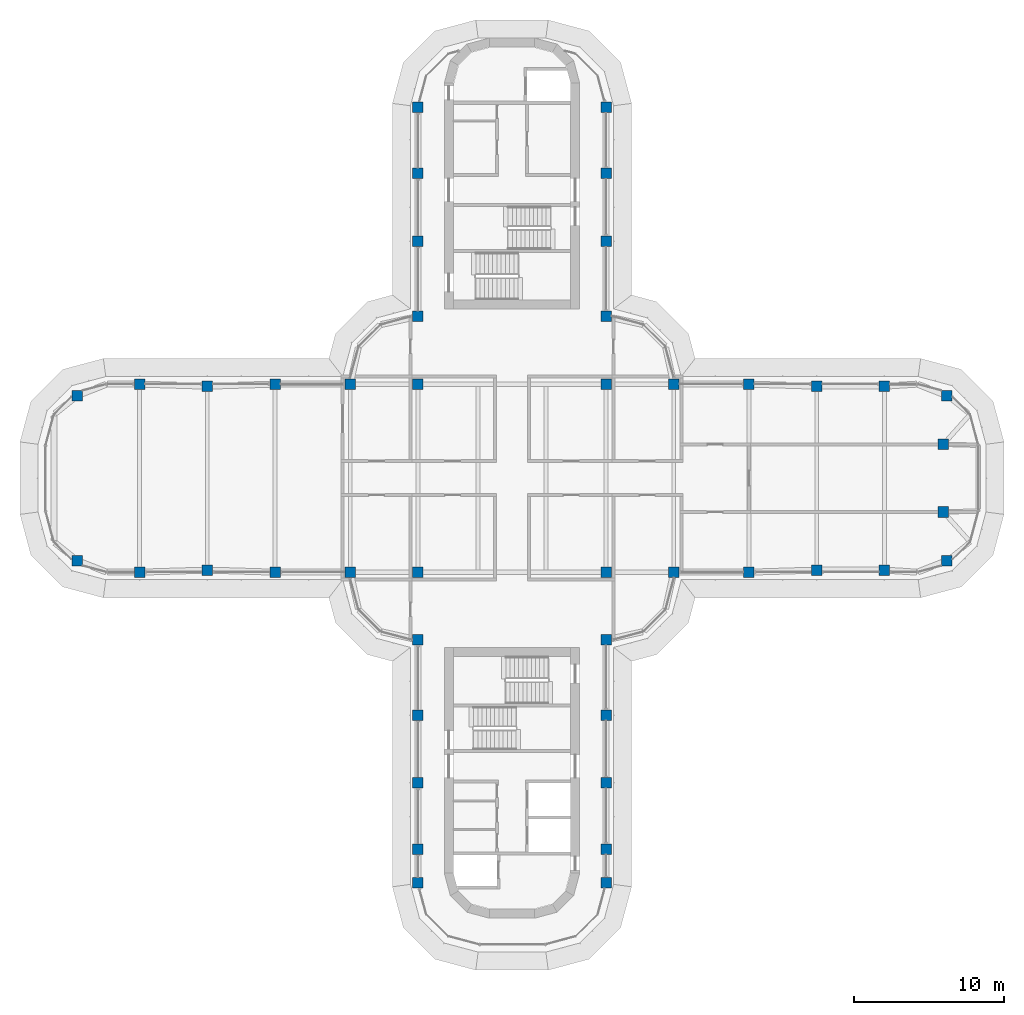
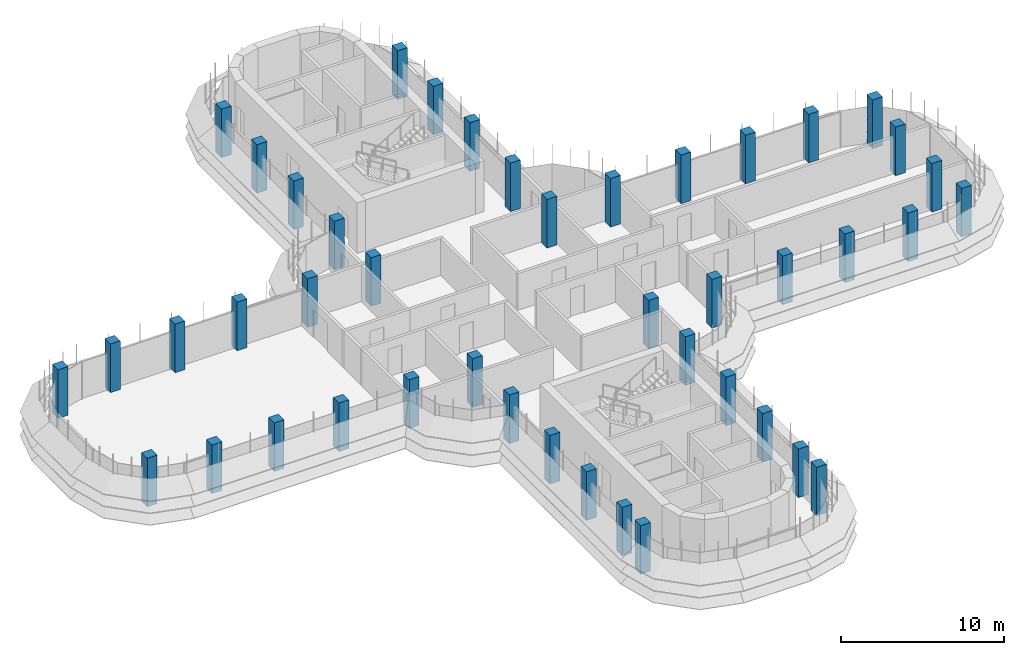
# One storey, part 1 of 19: 44 columns.
"""IFC4 building model written with IfcOpenShell, lengths in metres."""

from ifc_helpers import new_model, si_unit, direction, frame, origin, origin_2d, place, context, subcontext, project, spatial, rectangle, extrude, material, material_profile, profile_set, type_object, element, save


model = new_model("IFC4")

# Units and contexts
model_context = context("Model", 3, precision=1e-05, world=origin(), true_north=direction((0.0, 1.0)))
body_context = subcontext(model_context, "Body", "Model", "MODEL_VIEW")
ifc_project = project(units=[si_unit("LENGTHUNIT", "METRE"), si_unit("AREAUNIT", "SQUARE_METRE"), si_unit("VOLUMEUNIT", "CUBIC_METRE"), si_unit("PLANEANGLEUNIT", "RADIAN"), si_unit("MASSUNIT", "GRAM", prefix="KILO")], contexts=[model_context])

# Site, building, storey
site_placement = place(None, origin())
site = spatial("IfcSite", under=ifc_project, at=site_placement, CompositionType="ELEMENT")
building_placement = place(site_placement, origin())
building = spatial("IfcBuilding", under=site, at=building_placement, Name="Zarbagh Exchange Tower", CompositionType="ELEMENT")
storey_placement = place(building_placement, frame((0.0, 0.0, 241.0)))
storey = spatial("IfcBuildingStorey", under=building, at=storey_placement, Name="L59", CompositionType="ELEMENT", Elevation=241.0)

# Columns
ifc_material = material(Name="Concrete C50/60", Category="concrete")
ifc_material_profile = material_profile(ifc_material, rectangle(XDim=0.699951171875, YDim=0.699951171875, at=origin_2d()), Name="RC column 700 x 700 C50/60")
ifc_profile_set = profile_set([ifc_material_profile], Name="Concrete C50/60")
column_type = type_object("IfcColumnType", Name="RC column 700 x 700 C50/60", PredefinedType="COLUMN", material=ifc_profile_set)
for number, where, z_axis, x_axis, name in (
    (1, (-28.907958984375, -5.47509765625, 0.0), (0.0, 0.0, 1.0), (1.0, 0.0, 0.0), "C5 11/R"),
    (2, (-28.907958984375, 5.47509765625, 0.0), (0.0, 0.0, 1.0), (1.0, 0.0, 0.0), "C5 11/U"),
    (3, (-24.75, -6.25, 0.0), (0.0, 0.0, 1.0), (1.0, 0.0, 0.0), "C5 12/R"),
    (4, (-24.75, 6.25, 0.0), (0.0, 0.0, 1.0), (1.0, 0.0, 0.0), "C5 12/U"),
    (5, (-20.25, -6.110107421875, 0.0), (0.0, 0.0, 1.0), (1.0, 0.0, 0.0), "C5 13/R"),
    (6, (-20.25, 6.110107421875, 0.0), (0.0, 0.0, 1.0), (1.0, 0.0, 0.0), "C5 13/U"),
    (7, (-15.75, -6.25, 0.0), (0.0, 0.0, 1.0), (1.0, 0.0, 0.0), "C5 14/R"),
    (8, (-15.75, 6.25, 0.0), (0.0, 0.0, 1.0), (1.0, 0.0, 0.0), "C5 14/U"),
    (9, (-10.75, -6.25, 0.0), (0.0, 0.0, 1.0), (1.0, 0.0, 0.0), "C5 15/R"),
    (10, (-10.75, 6.25, 0.0), (0.0, 0.0, 1.0), (1.0, 0.0, 0.0), "C5 15/U"),
    (11, (-6.25, -26.89990234375, 0.0), (0.0, 0.0, 1.0), (1.0, 0.0, 0.0), "C5 16/L"),
    (12, (-6.25, -24.64990234375, 0.0), (0.0, 0.0, 1.0), (1.0, 0.0, 0.0), "C5 16/M"),
    (13, (-6.25, -20.25, 0.0), (0.0, 0.0, 1.0), (1.0, 0.0, 0.0), "C5 16/N"),
    (14, (-6.25, -15.75, 0.0), (0.0, 0.0, 1.0), (1.0, 0.0, 0.0), "C5 16/P"),
    (15, (-6.25, -10.75, 0.0), (0.0, 0.0, 1.0), (1.0, 0.0, 0.0), "C5 16/Q"),
    (16, (-6.25, -6.25, 0.0), (0.0, 0.0, 1.0), (1.0, 0.0, 0.0), "C5 16/R"),
    (17, (-6.25, 6.25, 0.0), (0.0, 0.0, 1.0), (1.0, 0.0, 0.0), "C5 16/U"),
    (18, (-6.25, 10.75, 0.0), (0.0, 0.0, 1.0), (1.0, 0.0, 0.0), "C5 16/V"),
    (19, (-6.25, 15.75, 0.0), (0.0, 0.0, 1.0), (1.0, 0.0, 0.0), "C5 16/W"),
    (20, (-6.25, 20.25, 0.0), (0.0, 0.0, 1.0), (1.0, 0.0, 0.0), "C5 16/X"),
    (21, (-6.25, 24.64990234375, 0.0), (0.0, 0.0, 1.0), (1.0, 0.0, 0.0), "C5 16/Y"),
    (22, (6.25, -26.89990234375, 0.0), (0.0, 0.0, 1.0), (1.0, 0.0, 0.0), "C5 19/L"),
    (23, (6.25, -24.64990234375, 0.0), (0.0, 0.0, 1.0), (1.0, 0.0, 0.0), "C5 19/M"),
    (24, (6.25, -20.25, 0.0), (0.0, 0.0, 1.0), (1.0, 0.0, 0.0), "C5 19/N"),
    (25, (6.25, -15.75, 0.0), (0.0, 0.0, 1.0), (1.0, 0.0, 0.0), "C5 19/P"),
    (26, (6.25, -10.75, 0.0), (0.0, 0.0, 1.0), (1.0, 0.0, 0.0), "C5 19/Q"),
    (27, (6.25, -6.25, 0.0), (0.0, 0.0, 1.0), (1.0, 0.0, 0.0), "C5 19/R"),
    (28, (6.25, 6.25, 0.0), (0.0, 0.0, 1.0), (1.0, 0.0, 0.0), "C5 19/U"),
    (29, (6.25, 10.75, 0.0), (0.0, 0.0, 1.0), (1.0, 0.0, 0.0), "C5 19/V"),
    (30, (6.25, 15.75, 0.0), (0.0, 0.0, 1.0), (1.0, 0.0, 0.0), "C5 19/W"),
    (31, (6.25, 20.25, 0.0), (0.0, 0.0, 1.0), (1.0, 0.0, 0.0), "C5 19/X"),
    (32, (6.25, 24.64990234375, 0.0), (0.0, 0.0, 1.0), (1.0, 0.0, 0.0), "C5 19/Y"),
    (33, (10.75, -6.25, 0.0), (0.0, 0.0, 1.0), (1.0, 0.0, 0.0), "C5 20/R"),
    (34, (10.75, 6.25, 0.0), (0.0, 0.0, 1.0), (1.0, 0.0, 0.0), "C5 20/U"),
    (35, (15.75, -6.25, 0.0), (0.0, 0.0, 1.0), (1.0, 0.0, 0.0), "C5 21/R"),
    (36, (15.75, 6.25, 0.0), (0.0, 0.0, 1.0), (1.0, 0.0, 0.0), "C5 21/U"),
    (37, (20.25, -6.110107421875, 0.0), (0.0, 0.0, 1.0), (1.0, 0.0, 0.0), "C5 22/R"),
    (38, (20.25, 6.110107421875, 0.0), (0.0, 0.0, 1.0), (1.0, 0.0, 0.0), "C5 22/U"),
    (39, (24.75, -6.110107421875, 0.0), (0.0, 0.0, 1.0), (1.0, 0.0, 0.0), "C5 23/R"),
    (40, (24.75, 6.110107421875, 0.0), (0.0, 0.0, 1.0), (1.0, 0.0, 0.0), "C5 23/U"),
    (41, (28.907958984375, -5.47509765625, 0.0), (0.0, 0.0, 1.0), (1.0, 0.0, 0.0), "C5 24/R"),
    (42, (28.669921875, -2.25, 0.0), (0.0, 0.0, 1.0), (1.0, 0.0, 0.0), "C5 24/S"),
    (43, (28.669921875, 2.25, 0.0), (0.0, 0.0, 1.0), (1.0, 0.0, 0.0), "C5 24/T"),
    (44, (28.907958984375, 5.47509765625, 0.0), (0.0, 0.0, 1.0), (1.0, 0.0, 0.0), "C5 24/U"),
):
    element("IfcColumn", number, at=place(storey_placement, frame(where, z_axis=z_axis, x_axis=x_axis)), inside=storey, type_object=column_type, Name=name, PredefinedType="COLUMN", context=body_context, shape_type="SweptSolid", body=[
        extrude(rectangle(XDim=0.699951171875, YDim=0.699951171875, at=origin_2d()), origin(), (0.0, 0.0, 1.0), 3.64990234375),
    ])

save(model, "model.ifc")
